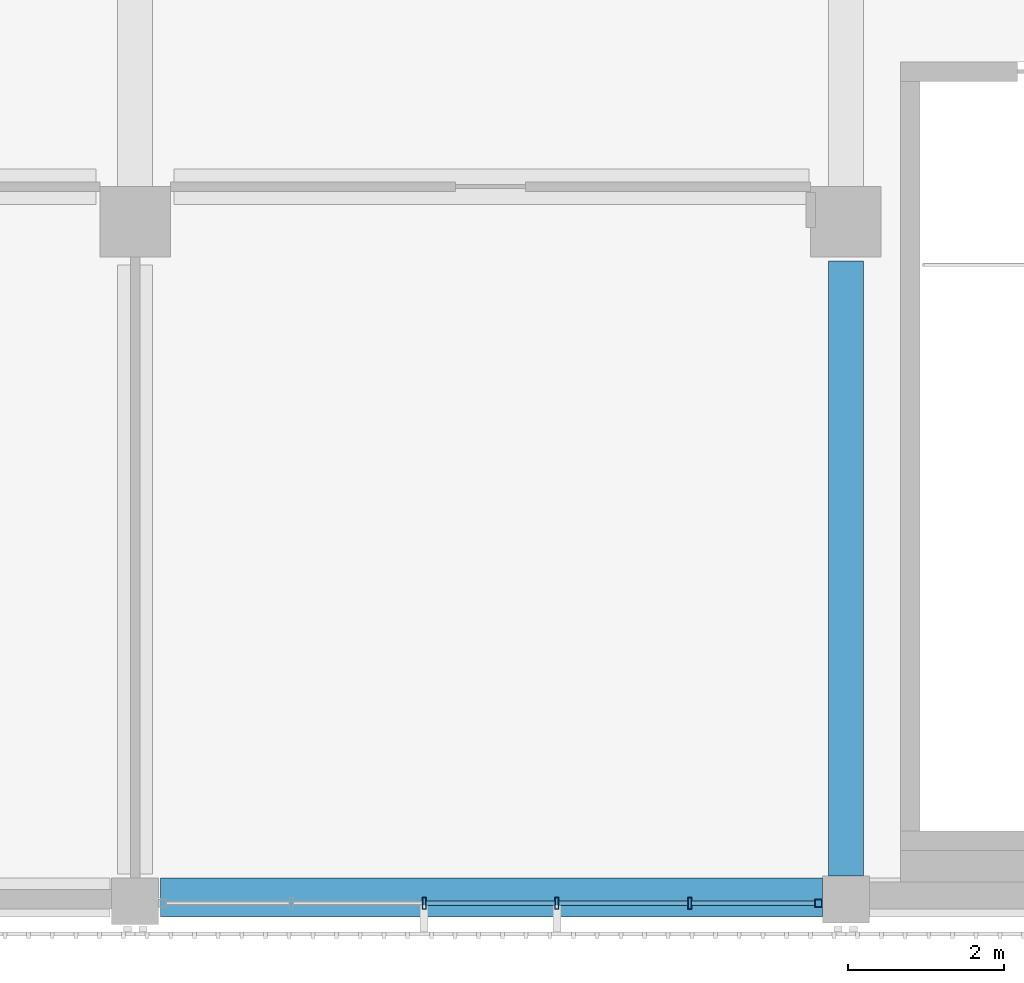
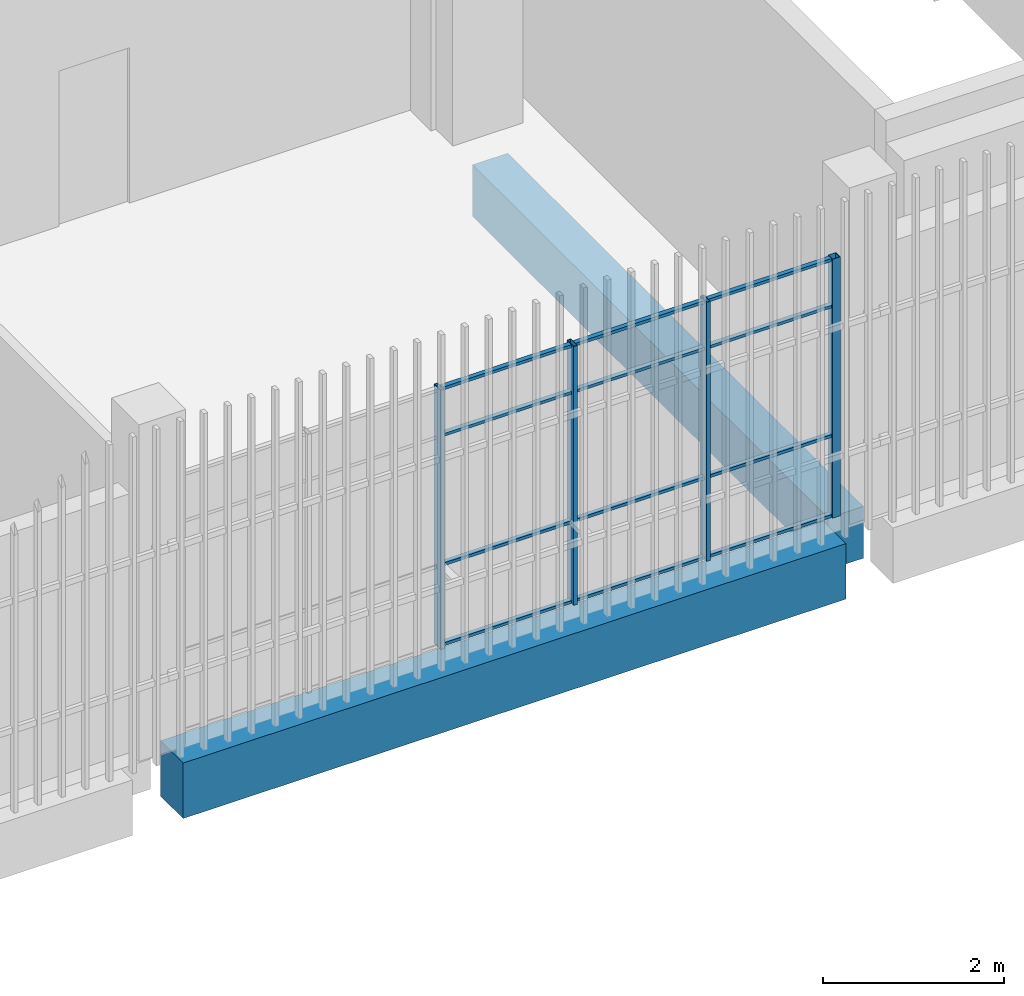
# One storey, part 10 of 104: 16 members, 2 beams, 1 element without a shape of its own.
"""IFC4 building model written with IfcOpenShell, lengths in metres."""

from ifc_helpers import new_model, si_unit, direction, frame, origin, origin_2d, place, context, subcontext, project, spatial, rectangle, hollow_rectangle, extrude, material, layer, layer_set, material_profile, profile_set, type_object, element, aggregate, save


model = new_model("IFC4")

# Units and contexts
model_context = context("Model", 3, precision=1e-05, world=origin(), true_north=direction((0.0, 1.0)))
body_context = subcontext(model_context, "Body", "Model", "MODEL_VIEW")
ifc_project = project(units=[si_unit("LENGTHUNIT", "METRE"), si_unit("AREAUNIT", "SQUARE_METRE"), si_unit("VOLUMEUNIT", "CUBIC_METRE"), si_unit("PLANEANGLEUNIT", "RADIAN"), si_unit("MASSUNIT", "GRAM", prefix="KILO")], contexts=[model_context])

# Site, building, storey
site_placement = place(None, origin())
site = spatial("IfcSite", under=ifc_project, at=site_placement, CompositionType="ELEMENT")
building_placement = place(site_placement, origin())
building = spatial("IfcBuilding", under=site, at=building_placement, Name="Shirokan Park Arena", CompositionType="ELEMENT")
storey_placement = place(building_placement, frame((0.0, 0.0, 10.919921875)))
storey = spatial("IfcBuildingStorey", under=building, at=storey_placement, Name="L02", CompositionType="ELEMENT", Elevation=10.919921875)

# Curtain wall, members
ifc_material_1 = material(Name="Steel and glass curtain wall", Category="steel")
ifc_layer = layer(ifc_material_1, 0.14990234375)
ifc_layer_set = layer_set([ifc_layer], Name="Steel and glass curtain wall 150 mm")
curtain_wall_type = type_object("IfcCurtainWallType", Name="Curtain wall exposed bay 150", PredefinedType="NOTDEFINED", material=ifc_layer_set)
curtain_wall_placement = place(storey_placement, origin())
curtain_wall = element("IfcCurtainWall", 1, at=curtain_wall_placement, inside=storey, type_object=curtain_wall_type, Name="Curtain wall south bay 6 L02", PredefinedType="NOTDEFINED")
ifc_material_2 = material(Name="Steel S355", Category="steel")
ifc_material_profile_1 = material_profile(ifc_material_2, hollow_rectangle(XDim=0.10009765625, YDim=0.10009765625, WallThickness=0.006103515625, at=origin_2d()), Name="RHS 100x100x6")
ifc_profile_set_1 = profile_set([ifc_material_profile_1], Name="Steel S355")
member_type_1 = type_object("IfcMemberType", Name="Mullion RHS 100x100x6", PredefinedType="MULLION", material=ifc_profile_set_1)
member_1_placement = place(storey_placement, frame((54.25, -0.074951171875, 0.0), z_axis=(0.0, 0.0, 1.0), x_axis=(0.0, 1.0, 0.0)))
member_1 = element("IfcMember", 2, at=member_1_placement, type_object=member_type_1, Name="CW1 mullion 6", PredefinedType="MULLION", context=body_context, shape_type="SweptSolid", body=[
    extrude(hollow_rectangle(XDim=0.10009765625, YDim=0.10009765625, WallThickness=0.006103515625, at=origin_2d()), origin(), (0.0, 0.0, 1.0), 3.5),
])
ifc_material_profile_2 = material_profile(ifc_material_2, hollow_rectangle(XDim=0.14990234375, YDim=0.050048828125, WallThickness=0.006103515625, at=origin_2d()), Name="RHS 150x50x6")
ifc_profile_set_2 = profile_set([ifc_material_profile_2], Name="Steel S355")
member_type_2 = type_object("IfcMemberType", Name="Mullion RHS 150x50x6", PredefinedType="MULLION", material=ifc_profile_set_2)
member_2_placement = place(storey_placement, frame((49.199951171875, -0.074951171875, 0.0), z_axis=(0.0, 0.0, 1.0), x_axis=(0.0, 1.0, 0.0)))
member_2 = element("IfcMember", 3, at=member_2_placement, type_object=member_type_2, Name="CW1 mullion 3", PredefinedType="MULLION", context=body_context, shape_type="SweptSolid", body=[
    extrude(hollow_rectangle(XDim=0.14990234375, YDim=0.050048828125, WallThickness=0.006103515625, at=origin_2d()), origin(), (0.0, 0.0, 1.0), 3.5),
])
member_3_placement = place(storey_placement, frame((50.89990234375, -0.074951171875, 0.0), z_axis=(0.0, 0.0, 1.0), x_axis=(0.0, 1.0, 0.0)))
member_3 = element("IfcMember", 4, at=member_3_placement, type_object=member_type_2, Name="CW1 mullion 4", PredefinedType="MULLION", context=body_context, shape_type="SweptSolid", body=[
    extrude(hollow_rectangle(XDim=0.14990234375, YDim=0.050048828125, WallThickness=0.006103515625, at=origin_2d()), origin(), (0.0, 0.0, 1.0), 3.5),
])
member_4_placement = place(storey_placement, frame((52.60009765625, -0.074951171875, 0.0), z_axis=(0.0, 0.0, 1.0), x_axis=(0.0, 1.0, 0.0)))
member_4 = element("IfcMember", 5, at=member_4_placement, type_object=member_type_2, Name="CW1 mullion 5", PredefinedType="MULLION", context=body_context, shape_type="SweptSolid", body=[
    extrude(hollow_rectangle(XDim=0.14990234375, YDim=0.050048828125, WallThickness=0.006103515625, at=origin_2d()), origin(), (0.0, 0.0, 1.0), 3.5),
])

# Beams
ifc_material_3 = material(Name="Concrete C35", Category="concrete")
ifc_material_profile_3 = material_profile(ifc_material_3, rectangle(XDim=0.449951171875, YDim=0.699951171875, at=origin_2d()), Name="450x700")
ifc_profile_set_3 = profile_set([ifc_material_profile_3], Name="Concrete C35")
beam_type_1 = type_object("IfcBeamType", Name="RC girder 450x700", PredefinedType="BEAM", material=ifc_profile_set_3)
beam_1_placement = place(storey_placement, frame((54.60009765625, 0.275146484375, -0.64990234375), z_axis=(0.0, 1.0, 0.0), x_axis=(-1.0, 0.0, 0.0)))
element("IfcBeam", 6, at=beam_1_placement, inside=storey, type_object=beam_type_1, Name="Girder 7A-7B L02", PredefinedType="BEAM", context=body_context, shape_type="SweptSolid", body=[
    extrude(rectangle(XDim=0.449951171875, YDim=0.699951171875, at=origin_2d()), origin(), (0.0, 0.0, 1.0), 7.874755859375),
])
ifc_material_profile_4 = material_profile(ifc_material_3, rectangle(XDim=0.5, YDim=0.75, at=origin_2d()), Name="500x750")
ifc_profile_set_4 = profile_set([ifc_material_profile_4], Name="Concrete C35")
beam_type_2 = type_object("IfcBeamType", Name="RC girder 500x750", PredefinedType="BEAM", material=ifc_profile_set_4)
beam_2_placement = place(storey_placement, frame((45.8251953125, 0.0, -0.6748046875), z_axis=(1.0, 0.0, 0.0), x_axis=(0.0, 1.0, 0.0)))
element("IfcBeam", 7, at=beam_2_placement, inside=storey, type_object=beam_type_2, Name="Girder 6A-7A L02", PredefinedType="BEAM", context=body_context, shape_type="SweptSolid", body=[
    extrude(rectangle(XDim=0.5, YDim=0.75, at=origin_2d()), origin(), (0.0, 0.0, 1.0), 8.474609375),
])

# Member
ifc_material_profile_5 = material_profile(ifc_material_2, hollow_rectangle(XDim=0.06005859375, YDim=0.0400390625, WallThickness=0.00390625, at=origin_2d()), Name="RHS 60x40x4")
ifc_profile_set_5 = profile_set([ifc_material_profile_5], Name="Steel S355")
member_type_3 = type_object("IfcMemberType", Name="Transom RHS 60x40x4", PredefinedType="MULLION", material=ifc_profile_set_5)
member_5_placement = place(storey_placement, frame((49.22509765625, -0.074951171875, 0.02001953125), z_axis=(1.0, 0.0, 0.0), x_axis=(0.0, 1.0, 0.0)))
member_5 = element("IfcMember", 8, at=member_5_placement, type_object=member_type_3, Name="CW1 transom 3.1", PredefinedType="MULLION", context=body_context, shape_type="SweptSolid", body=[
    extrude(hollow_rectangle(XDim=0.06005859375, YDim=0.0400390625, WallThickness=0.00390625, at=origin_2d()), origin(), (0.0, 0.0, 1.0), 1.64990234375),
])

member_6_placement = place(storey_placement, frame((49.22509765625, -0.074951171875, 1.10009765625), z_axis=(1.0, 0.0, 0.0), x_axis=(0.0, 1.0, 0.0)))
member_6 = element("IfcMember", 9, at=member_6_placement, type_object=member_type_3, Name="CW1 transom 3.2", PredefinedType="MULLION", context=body_context, shape_type="SweptSolid", body=[
    extrude(hollow_rectangle(XDim=0.06005859375, YDim=0.0400390625, WallThickness=0.00390625, at=origin_2d()), origin(), (0.0, 0.0, 1.0), 1.64990234375),
])

member_7_placement = place(storey_placement, frame((49.22509765625, -0.074951171875, 2.85009765625), z_axis=(1.0, 0.0, 0.0), x_axis=(0.0, 1.0, 0.0)))
member_7 = element("IfcMember", 10, at=member_7_placement, type_object=member_type_3, Name="CW1 transom 3.3", PredefinedType="MULLION", context=body_context, shape_type="SweptSolid", body=[
    extrude(hollow_rectangle(XDim=0.06005859375, YDim=0.0400390625, WallThickness=0.00390625, at=origin_2d()), origin(), (0.0, 0.0, 1.0), 1.64990234375),
])

member_8_placement = place(storey_placement, frame((49.22509765625, -0.074951171875, 3.47998046875), z_axis=(1.0, 0.0, 0.0), x_axis=(0.0, 1.0, 0.0)))
member_8 = element("IfcMember", 11, at=member_8_placement, type_object=member_type_3, Name="CW1 transom 3.4", PredefinedType="MULLION", context=body_context, shape_type="SweptSolid", body=[
    extrude(hollow_rectangle(XDim=0.06005859375, YDim=0.0400390625, WallThickness=0.00390625, at=origin_2d()), origin(), (0.0, 0.0, 1.0), 1.64990234375),
])

member_9_placement = place(storey_placement, frame((50.925048828125, -0.074951171875, 0.02001953125), z_axis=(1.0, 0.0, 0.0), x_axis=(0.0, 1.0, 0.0)))
member_9 = element("IfcMember", 12, at=member_9_placement, type_object=member_type_3, Name="CW1 transom 4.1", PredefinedType="MULLION", context=body_context, shape_type="SweptSolid", body=[
    extrude(hollow_rectangle(XDim=0.06005859375, YDim=0.0400390625, WallThickness=0.00390625, at=origin_2d()), origin(), (0.0, 0.0, 1.0), 1.64990234375),
])

member_10_placement = place(storey_placement, frame((50.925048828125, -0.074951171875, 1.10009765625), z_axis=(1.0, 0.0, 0.0), x_axis=(0.0, 1.0, 0.0)))
member_10 = element("IfcMember", 13, at=member_10_placement, type_object=member_type_3, Name="CW1 transom 4.2", PredefinedType="MULLION", context=body_context, shape_type="SweptSolid", body=[
    extrude(hollow_rectangle(XDim=0.06005859375, YDim=0.0400390625, WallThickness=0.00390625, at=origin_2d()), origin(), (0.0, 0.0, 1.0), 1.64990234375),
])

member_11_placement = place(storey_placement, frame((50.925048828125, -0.074951171875, 2.85009765625), z_axis=(1.0, 0.0, 0.0), x_axis=(0.0, 1.0, 0.0)))
member_11 = element("IfcMember", 14, at=member_11_placement, type_object=member_type_3, Name="CW1 transom 4.3", PredefinedType="MULLION", context=body_context, shape_type="SweptSolid", body=[
    extrude(hollow_rectangle(XDim=0.06005859375, YDim=0.0400390625, WallThickness=0.00390625, at=origin_2d()), origin(), (0.0, 0.0, 1.0), 1.64990234375),
])

member_12_placement = place(storey_placement, frame((50.925048828125, -0.074951171875, 3.47998046875), z_axis=(1.0, 0.0, 0.0), x_axis=(0.0, 1.0, 0.0)))
member_12 = element("IfcMember", 15, at=member_12_placement, type_object=member_type_3, Name="CW1 transom 4.4", PredefinedType="MULLION", context=body_context, shape_type="SweptSolid", body=[
    extrude(hollow_rectangle(XDim=0.06005859375, YDim=0.0400390625, WallThickness=0.00390625, at=origin_2d()), origin(), (0.0, 0.0, 1.0), 1.64990234375),
])

member_13_placement = place(storey_placement, frame((52.625, -0.074951171875, 0.02001953125), z_axis=(1.0, 0.0, 0.0), x_axis=(0.0, 1.0, 0.0)))
member_13 = element("IfcMember", 16, at=member_13_placement, type_object=member_type_3, Name="CW1 transom 5.1", PredefinedType="MULLION", context=body_context, shape_type="SweptSolid", body=[
    extrude(hollow_rectangle(XDim=0.06005859375, YDim=0.0400390625, WallThickness=0.00390625, at=origin_2d()), origin(), (0.0, 0.0, 1.0), 1.574951171875),
])

member_14_placement = place(storey_placement, frame((52.625, -0.074951171875, 1.10009765625), z_axis=(1.0, 0.0, 0.0), x_axis=(0.0, 1.0, 0.0)))
member_14 = element("IfcMember", 17, at=member_14_placement, type_object=member_type_3, Name="CW1 transom 5.2", PredefinedType="MULLION", context=body_context, shape_type="SweptSolid", body=[
    extrude(hollow_rectangle(XDim=0.06005859375, YDim=0.0400390625, WallThickness=0.00390625, at=origin_2d()), origin(), (0.0, 0.0, 1.0), 1.574951171875),
])

member_15_placement = place(storey_placement, frame((52.625, -0.074951171875, 2.85009765625), z_axis=(1.0, 0.0, 0.0), x_axis=(0.0, 1.0, 0.0)))
member_15 = element("IfcMember", 18, at=member_15_placement, type_object=member_type_3, Name="CW1 transom 5.3", PredefinedType="MULLION", context=body_context, shape_type="SweptSolid", body=[
    extrude(hollow_rectangle(XDim=0.06005859375, YDim=0.0400390625, WallThickness=0.00390625, at=origin_2d()), origin(), (0.0, 0.0, 1.0), 1.574951171875),
])

member_16_placement = place(storey_placement, frame((52.625, -0.074951171875, 3.47998046875), z_axis=(1.0, 0.0, 0.0), x_axis=(0.0, 1.0, 0.0)))
member_16 = element("IfcMember", 19, at=member_16_placement, type_object=member_type_3, Name="CW1 transom 5.4", PredefinedType="MULLION", context=body_context, shape_type="SweptSolid", body=[
    extrude(hollow_rectangle(XDim=0.06005859375, YDim=0.0400390625, WallThickness=0.00390625, at=origin_2d()), origin(), (0.0, 0.0, 1.0), 1.574951171875),
])

aggregate(curtain_wall, [member_2, member_3, member_4, member_1, member_5, member_6, member_7, member_8, member_9, member_10, member_11, member_12, member_13, member_14, member_15, member_16])

save(model, "model.ifc")
